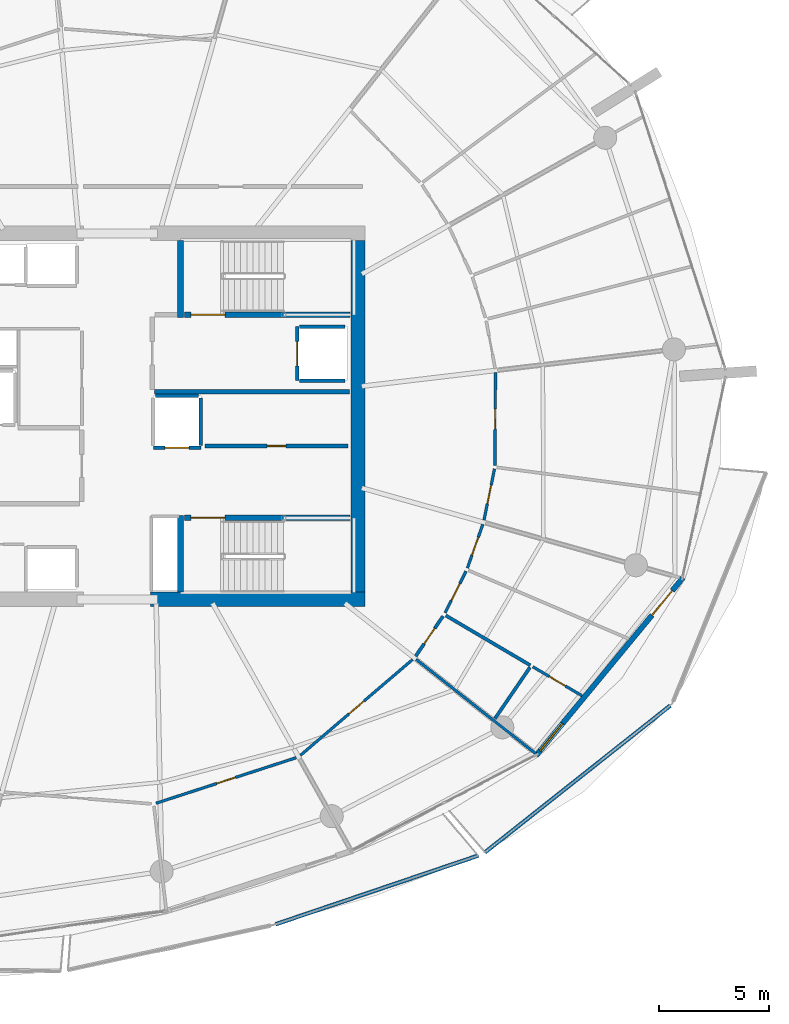
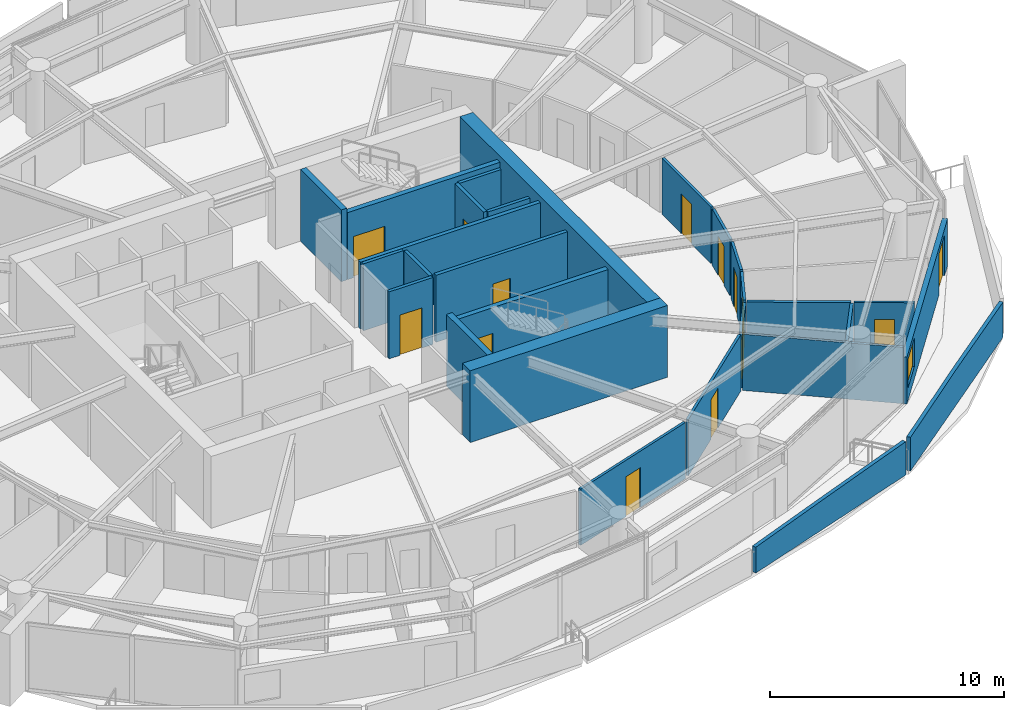
# One storey, part 13 of 20: 28 walls, 14 doors, 1 window, 15 openings.
"""IFC4 building model written with IfcOpenShell, lengths in metres."""

import ifcopenshell
import ifcopenshell.guid

model = None  # the IFC model being written
_history = None  # IfcOwnerHistory: only IFC2X3 demands one
_inside = {}  # id of a spatial element -> (the spatial element, [elements in it])
_under = {}  # id of a project, library or spatial element -> (it, [spatial elements below it])
_declared = {}  # id of a project -> (the project, [libraries it declares])
_typed = {}  # id of a type object -> (the type object, [elements of that type])
_made_of = {}  # id of a material, layer set ... -> (it, [elements and type objects made of it])


def new_model(schema):
    """Start an empty IFC model of exactly this schema.

    Asked for "IFC4X3", IfcOpenShell would pick the latest addendum, in which some entities
    have other attributes; the version numbers below select the first issue.
    IFC2X3 requires an IfcOwnerHistory on every rooted entity: one is made here for all.
    """
    global model, _history
    if schema == "IFC4X3":
        model = ifcopenshell.file(schema_version=(4, 3, 0, 0))
    else:
        model = ifcopenshell.file(schema=schema)
    _inside.clear()
    _under.clear()
    _declared.clear()
    _typed.clear()
    _made_of.clear()
    _history = None
    if model.schema == "IFC2X3":
        org = make("IfcOrganization", Name="unknown")
        user = make(
            "IfcPersonAndOrganization",
            ThePerson=make("IfcPerson", FamilyName="unknown"),
            TheOrganization=org,
        )
        app = make(
            "IfcApplication",
            ApplicationDeveloper=org,
            Version="unknown",
            ApplicationFullName="unknown",
            ApplicationIdentifier="unknown",
        )
        _history = make(
            "IfcOwnerHistory",
            OwningUser=user,
            OwningApplication=app,
            ChangeAction="ADDED",
            CreationDate=0,
        )
    return model


def make(cls, **values):
    """One entity of the class cls with the attributes given. An attribute that is None is left unset."""
    return model.create_entity(
        cls, **{name: value for name, value in values.items() if value is not None}
    )


def rooted(cls, **values):
    """An entity with a GlobalId (a new one), such as an element, a storey or a relation."""
    return make(cls, GlobalId=ifcopenshell.guid.new(), OwnerHistory=_history, **values)


def si_unit(unit_type, name, prefix=None):
    """IfcSIUnit, for example si_unit("LENGTHUNIT", "METRE", prefix="MILLI")."""
    return make("IfcSIUnit", UnitType=unit_type, Prefix=prefix, Name=name)


def assignment(units):
    """IfcUnitAssignment: the units of a project."""
    return None if units is None else make("IfcUnitAssignment", Units=units)


def point(xyz):
    """IfcCartesianPoint."""
    return None if xyz is None else make("IfcCartesianPoint", Coordinates=xyz)


def direction(xyz):
    """IfcDirection."""
    return None if xyz is None else make("IfcDirection", DirectionRatios=xyz)


def frame(location, z_axis=None, x_axis=None):
    """IfcAxis2Placement3D, a coordinate frame: its origin and axes. An axis left out is left unset."""
    return make(
        "IfcAxis2Placement3D",
        Location=point(location),
        Axis=direction(z_axis),
        RefDirection=direction(x_axis),
    )


def frame_2d(location, x_axis=None):
    """IfcAxis2Placement2D, a coordinate frame in the plane: its origin and x axis."""
    return make(
        "IfcAxis2Placement2D", Location=point(location), RefDirection=direction(x_axis)
    )


def origin():
    """The frame at (0, 0, 0) with its axes left unset."""
    return frame((0.0, 0.0, 0.0))


def place(relative_to, where):
    """IfcLocalPlacement: puts the frame where relative to a parent placement (None: the world)."""
    return make(
        "IfcLocalPlacement", PlacementRelTo=relative_to, RelativePlacement=where
    )


def context(
    kind, dimensions, precision=None, world=None, true_north=None, identifier=None
):
    """IfcGeometricRepresentationContext, for example the 3D "Model" context."""
    return make(
        "IfcGeometricRepresentationContext",
        ContextIdentifier=identifier,
        ContextType=kind,
        CoordinateSpaceDimension=dimensions,
        Precision=precision,
        WorldCoordinateSystem=world,
        TrueNorth=true_north,
    )


def subcontext(parent, identifier, kind, view, scale=None):
    """IfcGeometricRepresentationSubContext, for example "Body" below "Model"."""
    return make(
        "IfcGeometricRepresentationSubContext",
        ContextIdentifier=identifier,
        ContextType=kind,
        ParentContext=parent,
        TargetScale=scale,
        TargetView=view,
    )


def project(units=None, contexts=None):
    """IfcProject with its units and contexts."""
    return rooted(
        "IfcProject",
        Name="project",
        RepresentationContexts=contexts,
        UnitsInContext=assignment(units),
    )


def spatial(cls, under=None, at=None, **own):
    """A site, building, storey or space (cls), placed at a placement, below another one or the project."""
    s = rooted(cls, ObjectPlacement=at, **own)
    if under is not None:
        _under.setdefault(under.id(), (under, []))[1].append(s)
    return s


def polyline(points):
    """IfcPolyline through the points."""
    return make("IfcPolyline", Points=[point(p) for p in points])


def profile(cls, at=None, kind="AREA", **sizes):
    """A parametric profile (cls). Its sizes go by their IFC names, for example OverallWidth=200.0."""
    return make(cls, ProfileType=kind, Position=at, **sizes)


def rectangle(**sizes):
    """IfcRectangleProfileDef."""
    return profile("IfcRectangleProfileDef", **sizes)


def outline(outer, holes=None, kind="AREA"):
    """IfcArbitraryClosedProfileDef: a profile drawn as a closed curve; with holes, ...WithVoids."""
    if holes is None:
        return make("IfcArbitraryClosedProfileDef", ProfileType=kind, OuterCurve=outer)
    return make(
        "IfcArbitraryProfileDefWithVoids",
        ProfileType=kind,
        OuterCurve=outer,
        InnerCurves=holes,
    )


def extrude(swept, where, along, depth):
    """IfcExtrudedAreaSolid: the profile swept, set in the frame where, extruded along a direction by depth."""
    return make(
        "IfcExtrudedAreaSolid",
        SweptArea=swept,
        Position=where,
        ExtrudedDirection=direction(along),
        Depth=depth,
    )


def shape(context_of_items, identifier, shape_type, items):
    """IfcShapeRepresentation: the items that make up one representation, for example the "Body"."""
    return make(
        "IfcShapeRepresentation",
        ContextOfItems=context_of_items,
        RepresentationIdentifier=identifier,
        RepresentationType=shape_type,
        Items=items,
    )


def material(Name=None, Category=None):
    """IfcMaterial."""
    return make("IfcMaterial", Name=Name, Category=Category)


def layer(
    of_material, thickness, ventilated=None, Name=None, Category=None, Priority=None
):
    """IfcMaterialLayer: one layer of a wall or slab, of a material (None: an air gap)."""
    return make(
        "IfcMaterialLayer",
        Material=of_material,
        LayerThickness=thickness,
        IsVentilated=ventilated,
        Name=Name,
        Category=Category,
        Priority=Priority,
    )


def layer_set(layers, Name=None):
    """IfcMaterialLayerSet."""
    return make("IfcMaterialLayerSet", MaterialLayers=layers, LayerSetName=Name)


def made_of(thing, what):
    """Note that an element or type object is made of a material, layer set ...; save() writes the relation."""
    if what is not None:
        _made_of.setdefault(what.id(), (what, []))[1].append(thing)
    return thing


def type_object(cls, material=None, **own):
    """A type object (cls), such as IfcWallType, which elements share."""
    return made_of(rooted(cls, **own), material)


def element(
    cls,
    number,
    at=None,
    inside=None,
    cuts=None,
    type_object=None,
    material=None,
    context=None,
    identifier="Body",
    shape_type=None,
    held_by="IfcProductDefinitionShape",
    body=None,
    shapes=None,
    **own,
):
    """One element of the class cls, such as IfcWall. Its Tag is "e" and its number.

    at: its placement. inside: the storey or other place that contains it. cuts: it is an
    opening in that element (IfcRelVoidsElement). A single representation is given by context,
    identifier, shape_type and body (its items); several are given by shapes. held_by: the class
    of the entity that holds the representations. save() writes the other relations.
    """
    e = rooted(cls, Tag="e%d" % number, ObjectPlacement=at, **own)
    if body is not None:
        shapes = [shape(context, identifier, shape_type, body)]
    if shapes is not None:
        e.Representation = make(held_by, Representations=shapes)
    if inside is not None:
        _inside.setdefault(inside.id(), (inside, []))[1].append(e)
    if cuts is not None:
        rooted(
            "IfcRelVoidsElement", RelatingBuildingElement=cuts, RelatedOpeningElement=e
        )
    if type_object is not None:
        _typed.setdefault(type_object.id(), (type_object, []))[1].append(e)
    return made_of(e, material)


def fill(opening, filler):
    """IfcRelFillsElement: the door or window that sits in an opening."""
    return rooted(
        "IfcRelFillsElement",
        RelatingOpeningElement=opening,
        RelatedBuildingElement=filler,
    )


def aggregate(whole, parts):
    """IfcRelAggregates: a whole, such as a stair, and the parts it consists of."""
    return rooted("IfcRelAggregates", RelatingObject=whole, RelatedObjects=parts)


def save(model, path):
    """Write the relations noted so far, then the file.

    IfcRelAggregates (storeys below a building ...), IfcRelContainedInSpatialStructure (elements
    in a storey), IfcRelDefinesByType, IfcRelAssociatesMaterial and IfcRelDeclares: one each for
    every whole, place, type object, material and project.
    """
    for whole, parts in _under.values():
        aggregate(whole, parts)
    for where, things in _inside.values():
        rooted(
            "IfcRelContainedInSpatialStructure",
            RelatedElements=things,
            RelatingStructure=where,
        )
    for kind, things in _typed.values():
        rooted("IfcRelDefinesByType", RelatedObjects=things, RelatingType=kind)
    for what, things in _made_of.values():
        rooted("IfcRelAssociatesMaterial", RelatedObjects=things, RelatingMaterial=what)
    for by, libraries in _declared.values():
        rooted("IfcRelDeclares", RelatingContext=by, RelatedDefinitions=libraries)
    model.write(path)


model = new_model("IFC4")

# Units and contexts
model_context = context("Model", 3, precision=1e-05, world=origin(), true_north=direction((0.0, 1.0)))
body_context = subcontext(model_context, "Body", "Model", "MODEL_VIEW")
ifc_project = project(units=[si_unit("LENGTHUNIT", "METRE"), si_unit("AREAUNIT", "SQUARE_METRE"), si_unit("VOLUMEUNIT", "CUBIC_METRE"), si_unit("PLANEANGLEUNIT", "RADIAN"), si_unit("MASSUNIT", "GRAM", prefix="KILO")], contexts=[model_context])

# Site, building, storey
site_placement = place(None, origin())
site = spatial("IfcSite", under=ifc_project, at=site_placement, CompositionType="ELEMENT")
building_placement = place(site_placement, origin())
building = spatial("IfcBuilding", under=site, at=building_placement, Name="Kazma Halo Residences", CompositionType="ELEMENT")
storey_placement = place(building_placement, frame((0.0, 0.0, 217.800048828125)))
storey = spatial("IfcBuildingStorey", under=building, at=storey_placement, Name="L55", CompositionType="ELEMENT", Elevation=217.800048828125)

# Walls
ifc_material_1 = material(Name="White Concrete C50/60 Balustrade", Category="concrete")
ifc_layer_1 = layer(ifc_material_1, 0.179931640625)
ifc_layer_set_1 = layer_set([ifc_layer_1], Name="White Concrete C50/60 Balustrade")
wall_type_1 = type_object("IfcWallType", Name="WL-BAL-WAVE-180", PredefinedType="PARAPET", material=ifc_layer_set_1)
wall_1_placement = place(storey_placement, frame((55.6337890625, 18.893798828125, 0.0), z_axis=(0.0, 0.0, 1.0), x_axis=(0.947048433124, 0.32109074312, 0.0)))
element("IfcWall", 1, at=wall_1_placement, inside=storey, type_object=wall_type_1, Name="L55 white wave balustrade wall SSE.2", PredefinedType="PARAPET", context=body_context, shape_type="SweptSolid", body=[
    extrude(outline(polyline([(0.0, 0.0), (9.736328125, 0.0), (9.736328125, 1.7470703125), (4.8681640625, 1.56201171875), (0.0, 1.347900390625), (0.0, 0.0)])), frame((0.0, 0.08984375, 0.0), z_axis=(0.0, -1.0, 0.0), x_axis=(1.0, 0.0, 0.0)), (0.0, 0.0, 1.0), 0.179931640625),
])
wall_2_placement = place(storey_placement, frame((65.153076171875, 22.1630859375, 0.0), z_axis=(0.0, 0.0, 1.0), x_axis=(0.783919701346, 0.620862224524, 0.0)))
element("IfcWall", 2, at=wall_2_placement, inside=storey, type_object=wall_type_1, Name="L55 white wave balustrade wall SE.1", PredefinedType="PARAPET", context=body_context, shape_type="SweptSolid", body=[
    extrude(outline(polyline([(0.0, 0.0), (10.75634765625, 0.0), (10.75634765625, 1.83203125), (5.378173828125, 1.85302734375), (0.0, 1.755859375), (0.0, 0.0)])), frame((0.0, 0.08984375, 0.0), z_axis=(0.0, -1.0, 0.0), x_axis=(1.0, 0.0, 0.0)), (0.0, 0.0, 1.0), 0.179931640625),
])
ifc_material_2 = material(Name="Concrete C60/75", Category="concrete")
ifc_layer_2 = layer(ifc_material_2, 0.64990234375)
ifc_layer_set_2 = layer_set([ifc_layer_2], Name="Concrete C60/75")
wall_type_2 = type_object("IfcWallType", Name="WL-CORE-650", PredefinedType="SHEAR", material=ifc_layer_set_2)
wall_3_placement = place(storey_placement, frame((49.949951171875, 33.675048828125, 0.0), z_axis=(0.0, 0.0, 1.0), x_axis=(1.0, 0.0, 0.0)))
element("IfcWall", 3, at=wall_3_placement, inside=storey, type_object=wall_type_2, Name="L55 central core shear wall SE", PredefinedType="SHEAR", context=body_context, shape_type="SweptSolid", body=[
    extrude(rectangle(XDim=9.75, YDim=0.64990234375, at=frame_2d((4.875, 0.0))), origin(), (0.0, 0.0, 1.0), 3.75),
])
wall_4_placement = place(storey_placement, frame((59.375, 34.0, 0.0), z_axis=(0.0, 0.0, 1.0), x_axis=(0.0, 1.0, 0.0)))
element("IfcWall", 4, at=wall_4_placement, inside=storey, type_object=wall_type_2, Name="L55 central core shear wall E", PredefinedType="SHEAR", context=body_context, shape_type="SweptSolid", body=[
    extrude(rectangle(XDim=16.0, YDim=0.64990234375, at=frame_2d((8.0, 0.0))), origin(), (0.0, 0.0, 1.0), 3.75),
])
ifc_layer_3 = layer(ifc_material_2, 0.280029296875)
ifc_layer_set_3 = layer_set([ifc_layer_3], Name="Concrete C60/75")
wall_type_3 = type_object("IfcWallType", Name="WL-CORE-ST-280", PredefinedType="SHEAR", material=ifc_layer_set_3)
for number, where, z_axis, x_axis, name in (
    (5, (51.31005859375, 46.5, 0.0), (0.0, 0.0, 1.0), (0.0, 1.0, 0.0), "L55 stairwell bearing wall ST02-W"),
    (6, (51.31005859375, 34.0, 0.0), (0.0, 0.0, 1.0), (0.0, 1.0, 0.0), "L55 stairwell bearing wall ST03-W"),
):
    element("IfcWall", number, at=place(storey_placement, frame(where, z_axis=z_axis, x_axis=x_axis)), inside=storey, type_object=wall_type_3, Name=name, PredefinedType="SHEAR", context=body_context, shape_type="SweptSolid", body=[
        extrude(rectangle(XDim=3.5, YDim=0.280029296875, at=frame_2d((1.75, 0.0))), origin(), (0.0, 0.0, 1.0), 3.75),
    ])

# Wall, openings, door, window
ifc_material_3 = material(Name="Insulated Pale-Metal Composite Wall")
ifc_layer_4 = layer(ifc_material_3, 0.239990234375)
ifc_layer_set_4 = layer_set([ifc_layer_4], Name="Insulated Pale-Metal Composite Wall")
wall_type_4 = type_object("IfcWallType", Name="WL-EXT-HOST-240", PredefinedType="SOLIDWALL", material=ifc_layer_set_4)
wall_5_placement = place(storey_placement, frame((67.485107421875, 26.57568359375, 0.0), z_axis=(0.0, 0.0, 1.0), x_axis=(0.636759394418, 0.771062561418, 0.0)))
wall_5 = element("IfcWall", 7, at=wall_5_placement, inside=storey, type_object=wall_type_4, Name="L55 exterior terrace-access wall B14", PredefinedType="SOLIDWALL", context=body_context, shape_type="SweptSolid", body=[
    extrude(rectangle(XDim=10.494384765625, YDim=0.239990234375, at=frame_2d((5.2470703125, 0.0))), origin(), (0.0, 0.0, 1.0), 2.449951171875),
])
opening_1_placement = place(wall_5_placement, frame((8.2744140625, 0.0, 0.0)))
opening_1 = element("IfcOpeningElement", 8, at=opening_1_placement, cuts=wall_5, Name="Opening DTR-1600", PredefinedType="OPENING", context=body_context, shape_type="SweptSolid", body=[
    extrude(rectangle(XDim=1.449951171875, YDim=2.14990234375, at=frame_2d((0.72509765625, 1.074951171875))), frame((0.0, 0.1298828125, 0.0), z_axis=(0.0, -1.0, 0.0), x_axis=(1.0, 0.0, 0.0)), (0.0, 0.0, 1.0), 0.260009765625),
])
opening_2_placement = place(wall_5_placement, frame((0.280029296875, 0.0, 0.64990234375)))
opening_2 = element("IfcOpeningElement", 9, at=opening_2_placement, cuts=wall_5, Name="Opening W-1800", PredefinedType="OPENING", context=body_context, shape_type="SweptSolid", body=[
    extrude(rectangle(XDim=1.60009765625, YDim=1.5, at=frame_2d((0.800048828125, 0.75))), frame((0.0, 0.1298828125, 0.0), z_axis=(0.0, -1.0, 0.0), x_axis=(1.0, 0.0, 0.0)), (0.0, 0.0, 1.0), 0.260009765625),
])
ifc_material_4 = material(Name="Aluminium AW-6063 T6 Double-Glazed Terrace Door", Category="aluminium")
door_type_1 = type_object("IfcDoorType", Name="DR-EXT-TERR-1600", OperationType="NOTDEFINED", PredefinedType="DOOR", material=ifc_material_4)
door_1_placement = place(opening_1_placement, origin())
door_1 = element("IfcDoor", 10, at=door_1_placement, inside=storey, type_object=door_type_1, Name="L55 B14 balcony terrace door", OperationType="DOUBLE_DOOR_SLIDING", OverallHeight=2.14990234375, OverallWidth=1.449951171875, PredefinedType="DOOR", context=body_context, shape_type="SweptSolid", body=[
    extrude(rectangle(XDim=1.449951171875, YDim=2.14990234375, at=frame_2d((0.72509765625, 1.074951171875))), frame((0.0, 0.02490234375, 0.0), z_axis=(0.0, -1.0, 0.0), x_axis=(1.0, 0.0, 0.0)), (0.0, 0.0, 1.0), 0.050048828125),
])
fill(opening_1, door_1)
ifc_material_5 = material(Name="Clear Triple-Silver Low-E Glass in Aluminium AW-6063 T6 Frame", Category="aluminium")
window_type = type_object("IfcWindowType", Name="WIN-RES-1800", PartitioningType="DOUBLE_PANEL_VERTICAL", PredefinedType="WINDOW", material=ifc_material_5)
window_placement = place(opening_2_placement, origin())
window = element("IfcWindow", 11, at=window_placement, inside=storey, type_object=window_type, Name="L55 B14 apartment window", OverallHeight=1.5, OverallWidth=1.60009765625, PartitioningType="SINGLE_PANEL", PredefinedType="WINDOW", context=body_context, shape_type="SweptSolid", body=[
    extrude(rectangle(XDim=1.60009765625, YDim=1.5, at=frame_2d((0.800048828125, 0.75))), frame((0.0, 0.030029296875, 0.0), z_axis=(0.0, -1.0, 0.0), x_axis=(1.0, 0.0, 0.0)), (0.0, 0.0, 1.0), 0.06005859375),
])
fill(opening_2, window)

# Wall, opening, door
ifc_material_6 = material(Name="Fire-Rated Blockwork Masonry", Category="masonry")
ifc_layer_5 = layer(ifc_material_6, 0.199951171875)
ifc_layer_set_5 = layer_set([ifc_layer_5], Name="Fire-Rated Blockwork Masonry")
wall_type_5 = type_object("IfcWallType", Name="WL-FLB-200", PredefinedType="PARTITIONING", material=ifc_layer_set_5)
wall_6_placement = place(storey_placement, frame((56.6201171875, 46.080078125, 0.0), z_axis=(0.0, 0.0, 1.0), x_axis=(0.0, -1.0, 0.0)))
wall_6 = element("IfcWall", 12, at=wall_6_placement, inside=storey, type_object=wall_type_5, Name="L55 lift shaft FL-02 front wall", PredefinedType="PARTITIONING", context=body_context, shape_type="SweptSolid", body=[
    extrude(rectangle(XDim=2.4599609375, YDim=0.159912109375, at=frame_2d((1.22998046875, 0.0))), origin(), (0.0, 0.0, 1.0), 3.5),
])
opening_3_placement = place(wall_6_placement, frame((0.679931640625, 0.0, 0.0)))
opening_3 = element("IfcOpeningElement", 13, at=opening_3_placement, cuts=wall_6, Name="Opening LD-FL-02", PredefinedType="OPENING", context=body_context, shape_type="SweptSolid", body=[
    extrude(rectangle(XDim=1.10009765625, YDim=2.10009765625, at=frame_2d((0.550048828125, 1.050048828125))), frame((0.0, 0.08984375, 0.0), z_axis=(0.0, -1.0, 0.0), x_axis=(1.0, 0.0, 0.0)), (0.0, 0.0, 1.0), 0.179931640625),
])
ifc_material_7 = material(Name="Stainless Steel Fire-Rated", Category="steel")
door_type_2 = type_object("IfcDoorType", Name="DR-LIFT-SLD-1100", OperationType="DOUBLE_DOOR_SLIDING", PredefinedType="DOOR", material=ifc_material_7)
door_2_placement = place(opening_3_placement, origin())
door_2 = element("IfcDoor", 14, at=door_2_placement, inside=storey, type_object=door_type_2, Name="L55 lift FL-02 sliding landing door", OperationType="DOUBLE_DOOR_SLIDING", OverallHeight=2.10009765625, OverallWidth=1.10009765625, PredefinedType="DOOR", context=body_context, shape_type="SweptSolid", body=[
    extrude(rectangle(XDim=1.10009765625, YDim=2.10009765625, at=frame_2d((0.550048828125, 1.050048828125))), frame((0.0, 0.02490234375, 0.0), z_axis=(0.0, -1.0, 0.0), x_axis=(1.0, 0.0, 0.0)), (0.0, 0.0, 1.0), 0.050048828125),
])
fill(opening_3, door_2)

# Walls
for number, where, z_axis, x_axis, name in (
    (15, (56.719970703125, 46.080078125, 0.0), (0.0, 0.0, 1.0), (1.0, 0.0, 0.0), "L55 lift shaft FL-02 side wall N"),
    (16, (56.719970703125, 43.6201171875, 0.0), (0.0, 0.0, 1.0), (1.0, 0.0, 0.0), "L55 lift shaft FL-02 side wall S"),
):
    element("IfcWall", number, at=place(storey_placement, frame(where, z_axis=z_axis, x_axis=x_axis)), inside=storey, type_object=wall_type_5, Name=name, PredefinedType="PARTITIONING", context=body_context, shape_type="SweptSolid", body=[
        extrude(rectangle(XDim=2.06005859375, YDim=0.159912109375, at=frame_2d((1.030029296875, 0.0))), origin(), (0.0, 0.0, 1.0), 3.5),
    ])

# Wall, opening, door
wall_7_placement = place(storey_placement, frame((52.22998046875, 40.570068359375, 0.0), z_axis=(0.0, 0.0, 1.0), x_axis=(-1.0, 0.0, 0.0)))
wall_7 = element("IfcWall", 17, at=wall_7_placement, inside=storey, type_object=wall_type_5, Name="L55 lift shaft SV-01 front wall", PredefinedType="PARTITIONING", context=body_context, shape_type="SweptSolid", body=[
    extrude(rectangle(XDim=2.159912109375, YDim=0.159912109375, at=frame_2d((1.080078125, 0.0))), origin(), (0.0, 0.0, 1.0), 3.5),
])
opening_4_placement = place(wall_7_placement, frame((0.530029296875, 0.0, 0.0)))
opening_4 = element("IfcOpeningElement", 18, at=opening_4_placement, cuts=wall_7, Name="Opening LD-SV-01", PredefinedType="OPENING", context=body_context, shape_type="SweptSolid", body=[
    extrude(rectangle(XDim=1.10009765625, YDim=2.10009765625, at=frame_2d((0.550048828125, 1.050048828125))), frame((0.0, 0.08984375, 0.0), z_axis=(0.0, -1.0, 0.0), x_axis=(1.0, 0.0, 0.0)), (0.0, 0.0, 1.0), 0.179931640625),
])
door_3_placement = place(opening_4_placement, origin())
door_3 = element("IfcDoor", 19, at=door_3_placement, inside=storey, type_object=door_type_2, Name="L55 lift SV-01 sliding landing door", OperationType="DOUBLE_DOOR_SLIDING", OverallHeight=2.10009765625, OverallWidth=1.10009765625, PredefinedType="DOOR", context=body_context, shape_type="SweptSolid", body=[
    extrude(rectangle(XDim=1.10009765625, YDim=2.10009765625, at=frame_2d((0.550048828125, 1.050048828125))), frame((0.0, 0.02490234375, 0.0), z_axis=(0.0, -1.0, 0.0), x_axis=(1.0, 0.0, 0.0)), (0.0, 0.0, 1.0), 0.050048828125),
])
fill(opening_4, door_3)

# Walls
wall_8_placement = place(storey_placement, frame((52.22998046875, 40.669921875, 0.0), z_axis=(0.0, 0.0, 1.0), x_axis=(0.0, 1.0, 0.0)))
element("IfcWall", 20, at=wall_8_placement, inside=storey, type_object=wall_type_5, Name="L55 lift shaft SV-01 side wall E", PredefinedType="PARTITIONING", context=body_context, shape_type="SweptSolid", body=[
    extrude(rectangle(XDim=2.16015625, YDim=0.159912109375, at=frame_2d((1.080078125, 0.0))), origin(), (0.0, 0.0, 1.0), 3.5),
])
wall_9_placement = place(storey_placement, frame((50.169921875, 42.929931640625, 0.0), z_axis=(0.0, 0.0, 1.0), x_axis=(1.0, 0.0, 0.0)))
element("IfcWall", 21, at=wall_9_placement, inside=storey, type_object=wall_type_5, Name="L55 lift shaft SV-01 side wall N", PredefinedType="PARTITIONING", context=body_context, shape_type="SweptSolid", body=[
    extrude(rectangle(XDim=1.9599609375, YDim=0.159912109375, at=frame_2d((0.97998046875, 0.0))), origin(), (0.0, 0.0, 1.0), 3.5),
])

# Wall, opening, door
wall_10_placement = place(storey_placement, frame((52.419921875, 40.64990234375, 0.0), z_axis=(0.0, 0.0, 1.0), x_axis=(1.0, 0.0, 0.0)))
wall_10 = element("IfcWall", 22, at=wall_10_placement, inside=storey, type_object=wall_type_5, Name="L55 core east reserve wall", PredefinedType="PARTITIONING", context=body_context, shape_type="SweptSolid", body=[
    extrude(rectangle(XDim=6.5, YDim=0.179931640625, at=frame_2d((3.25, 0.0))), origin(), (0.0, 0.0, 1.0), 3.5),
])
opening_5_placement = place(wall_10_placement, frame((2.824951171875, 0.0, 0.0)))
opening_5 = element("IfcOpeningElement", 23, at=opening_5_placement, cuts=wall_10, Name="Opening DS-850", PredefinedType="OPENING", context=body_context, shape_type="SweptSolid", body=[
    extrude(rectangle(XDim=0.85009765625, YDim=2.06005859375, at=frame_2d((0.425048828125, 1.030029296875))), frame((0.0, 0.099853515625, 0.0), z_axis=(0.0, -1.0, 0.0), x_axis=(1.0, 0.0, 0.0)), (0.0, 0.0, 1.0), 0.199951171875),
])
ifc_material_8 = material(Name="Painted Steel Access Leaf", Category="steel")
door_type_3 = type_object("IfcDoorType", Name="DR-SVC-850", OperationType="NOTDEFINED", PredefinedType="DOOR", material=ifc_material_8)
door_4_placement = place(opening_5_placement, origin())
door_4 = element("IfcDoor", 24, at=door_4_placement, inside=storey, type_object=door_type_3, Name="L55 core east reserve door", OperationType="SINGLE_SWING_RIGHT", OverallHeight=2.06005859375, OverallWidth=0.85009765625, PredefinedType="DOOR", context=body_context, shape_type="SweptSolid", body=[
    extrude(rectangle(XDim=0.85009765625, YDim=2.06005859375, at=frame_2d((0.425048828125, 1.030029296875))), frame((0.0, 0.02490234375, 0.0), z_axis=(0.0, -1.0, 0.0), x_axis=(1.0, 0.0, 0.0)), (0.0, 0.0, 1.0), 0.050048828125),
])
fill(opening_5, door_4)

# Wall
wall_11_placement = place(storey_placement, frame((50.1201171875, 43.1201171875, 0.0), z_axis=(0.0, 0.0, 1.0), x_axis=(1.0, 0.0, 0.0)))
element("IfcWall", 25, at=wall_11_placement, inside=storey, type_object=wall_type_5, Name="L55 east firefighting lobby south smoke wall", PredefinedType="PARTITIONING", context=body_context, shape_type="SweptSolid", body=[
    extrude(rectangle(XDim=8.8798828125, YDim=0.199951171875, at=frame_2d((4.43994140625, 0.0))), origin(), (0.0, 0.0, 1.0), 3.5),
])

# Wall, opening, door
ifc_material_9 = material(Name="Gypsum Plasterboard Partition")
ifc_layer_6 = layer(ifc_material_9, 0.125)
ifc_layer_set_6 = layer_set([ifc_layer_6], Name="Gypsum Plasterboard Partition")
wall_type_6 = type_object("IfcWallType", Name="WL-PART-125", PredefinedType="PARTITIONING", material=ifc_layer_set_6)
wall_12_placement = place(storey_placement, frame((50.191650390625, 24.400146484375, 0.0), z_axis=(0.0, 0.0, 1.0), x_axis=(0.951057868445, 0.309012832854, 0.0)))
wall_12 = element("IfcWall", 26, at=wall_12_placement, inside=storey, type_object=wall_type_6, Name="L55 Apartment 2 West Master Bedroom gallery wall", PredefinedType="PARTITIONING", context=body_context, shape_type="SweptSolid", body=[
    extrude(rectangle(XDim=6.70849609375, YDim=0.125, at=frame_2d((3.354248046875, 0.0))), origin(), (0.0, 0.0, 1.0), 2.93994140625),
])
opening_6_placement = place(wall_12_placement, frame((2.904296875, 0.0, 0.0)))
opening_6 = element("IfcOpeningElement", 27, at=opening_6_placement, cuts=wall_12, Name="Opening DI-950", PredefinedType="OPENING", context=body_context, shape_type="SweptSolid", body=[
    extrude(rectangle(XDim=0.89990234375, YDim=2.080078125, at=frame_2d((0.449951171875, 1.0400390625))), frame((0.0, 0.072509765625, 0.0), z_axis=(0.0, -1.0, 0.0), x_axis=(1.0, 0.0, 0.0)), (0.0, 0.0, 1.0), 0.14501953125),
])
ifc_material_10 = material(Name="Timber Veneer Flush Leaf", Category="wood")
door_type_4 = type_object("IfcDoorType", Name="DR-INT-950", OperationType="NOTDEFINED", PredefinedType="DOOR", material=ifc_material_10)
door_5_placement = place(opening_6_placement, origin())
door_5 = element("IfcDoor", 28, at=door_5_placement, inside=storey, type_object=door_type_4, Name="L55 Apartment 2 West Master Bedroom door", OperationType="SINGLE_SWING_LEFT", OverallHeight=2.080078125, OverallWidth=0.89990234375, PredefinedType="DOOR", context=body_context, shape_type="SweptSolid", body=[
    extrude(rectangle(XDim=0.89990234375, YDim=2.080078125, at=frame_2d((0.449951171875, 1.0400390625))), frame((0.0, 0.02490234375, 0.0), z_axis=(0.0, -1.0, 0.0), x_axis=(1.0, 0.0, 0.0)), (0.0, 0.0, 1.0), 0.050048828125),
])
fill(opening_6, door_5)

wall_13_placement = place(storey_placement, frame((56.760009765625, 26.57861328125, 0.0), z_axis=(0.0, 0.0, 1.0), x_axis=(0.760424223761, 0.649426670161, 0.0)))
wall_13 = element("IfcWall", 29, at=wall_13_placement, inside=storey, type_object=wall_type_6, Name="L55 Apartment 2 North Formal Dining Room gallery wall", PredefinedType="PARTITIONING", context=body_context, shape_type="SweptSolid", body=[
    extrude(rectangle(XDim=6.70849609375, YDim=0.125, at=frame_2d((3.354248046875, 0.0))), origin(), (0.0, 0.0, 1.0), 2.93994140625),
])
opening_7_placement = place(wall_13_placement, frame((2.904296875, 0.0, 0.0)))
opening_7 = element("IfcOpeningElement", 30, at=opening_7_placement, cuts=wall_13, Name="Opening DI-950", PredefinedType="OPENING", context=body_context, shape_type="SweptSolid", body=[
    extrude(rectangle(XDim=0.89990234375, YDim=2.080078125, at=frame_2d((0.449951171875, 1.0400390625))), frame((0.0, 0.072509765625, 0.0), z_axis=(0.0, -1.0, 0.0), x_axis=(1.0, 0.0, 0.0)), (0.0, 0.0, 1.0), 0.14501953125),
])
door_6_placement = place(opening_7_placement, origin())
door_6 = element("IfcDoor", 31, at=door_6_placement, inside=storey, type_object=door_type_4, Name="L55 Apartment 2 North Formal Dining Room door", OperationType="SINGLE_SWING_RIGHT", OverallHeight=2.080078125, OverallWidth=0.89990234375, PredefinedType="DOOR", context=body_context, shape_type="SweptSolid", body=[
    extrude(rectangle(XDim=0.89990234375, YDim=2.080078125, at=frame_2d((0.449951171875, 1.0400390625))), frame((0.0, 0.02490234375, 0.0), z_axis=(0.0, -1.0, 0.0), x_axis=(1.0, 0.0, 0.0)), (0.0, 0.0, 1.0), 0.050048828125),
])
fill(opening_7, door_6)

# Wall
wall_14_placement = place(storey_placement, frame((62.0234375, 30.94482421875, 0.0), z_axis=(0.0, 0.0, 1.0), x_axis=(0.785321889756, -0.619087658955, 0.0)))
element("IfcWall", 32, at=wall_14_placement, inside=storey, type_object=wall_type_6, Name="L55 Apartment 2 radial partition 13", PredefinedType="PARTITIONING", context=body_context, shape_type="SweptSolid", body=[
    extrude(rectangle(XDim=6.97021484375, YDim=0.125, at=frame_2d((3.485107421875, 0.0))), origin(), (0.0, 0.0, 1.0), 2.93994140625),
])

# Wall, opening, door
wall_15_placement = place(storey_placement, frame((67.330322265625, 30.60888671875, 0.0), z_axis=(0.0, 0.0, 1.0), x_axis=(0.861581059631, -0.507620013085, 0.0)))
wall_15 = element("IfcWall", 33, at=wall_15_placement, inside=storey, type_object=wall_type_6, Name="L55 Apartment 2 Inner Walk-In Wardrobe partition wall", PredefinedType="PARTITIONING", context=body_context, shape_type="SweptSolid", body=[
    extrude(rectangle(XDim=2.59619140625, YDim=0.125, at=frame_2d((1.298095703125, 0.0))), origin(), (0.0, 0.0, 1.0), 2.93994140625),
])
opening_8_placement = place(wall_15_placement, frame((0.873291015625, 0.0, 0.0)))
opening_8 = element("IfcOpeningElement", 34, at=opening_8_placement, cuts=wall_15, Name="Opening DB-900", PredefinedType="OPENING", context=body_context, shape_type="SweptSolid", body=[
    extrude(rectangle(XDim=0.85009765625, YDim=2.06005859375, at=frame_2d((0.425048828125, 1.030029296875))), frame((0.0, 0.072509765625, 0.0), z_axis=(0.0, -1.0, 0.0), x_axis=(1.0, 0.0, 0.0)), (0.0, 0.0, 1.0), 0.14501953125),
])
ifc_material_11 = material(Name="Moisture-Sealed Timber Leaf", Category="wood")
door_type_5 = type_object("IfcDoorType", Name="DR-BTH-900", OperationType="NOTDEFINED", PredefinedType="DOOR", material=ifc_material_11)
door_7_placement = place(opening_8_placement, origin())
door_7 = element("IfcDoor", 35, at=door_7_placement, inside=storey, type_object=door_type_5, Name="L55 Apartment 2 Inner Walk-In Wardrobe door", OperationType="SINGLE_SWING_RIGHT", OverallHeight=2.06005859375, OverallWidth=0.85009765625, PredefinedType="DOOR", context=body_context, shape_type="SweptSolid", body=[
    extrude(rectangle(XDim=0.85009765625, YDim=2.06005859375, at=frame_2d((0.425048828125, 1.030029296875))), frame((0.0, 0.02490234375, 0.0), z_axis=(0.0, -1.0, 0.0), x_axis=(1.0, 0.0, 0.0)), (0.0, 0.0, 1.0), 0.050048828125),
])
fill(opening_8, door_7)

wall_16_placement = place(storey_placement, frame((63.339111328125, 33.065185546875, 0.0), z_axis=(0.0, 0.0, 1.0), x_axis=(0.451086731402, 0.892480117847, 0.0)))
wall_16 = element("IfcWall", 36, at=wall_16_placement, inside=storey, type_object=wall_type_6, Name="L55 Apartment 2 Outer Private Study hall wall", PredefinedType="PARTITIONING", context=body_context, shape_type="SweptSolid", body=[
    extrude(rectangle(XDim=2.11572265625, YDim=0.125, at=frame_2d((1.057861328125, 0.0))), origin(), (0.0, 0.0, 1.0), 2.93994140625),
])
opening_9_placement = place(wall_16_placement, frame((0.6328125, 0.0, 0.0)))
opening_9 = element("IfcOpeningElement", 37, at=opening_9_placement, cuts=wall_16, Name="Opening DB-900", PredefinedType="OPENING", context=body_context, shape_type="SweptSolid", body=[
    extrude(rectangle(XDim=0.85009765625, YDim=2.06005859375, at=frame_2d((0.425048828125, 1.030029296875))), frame((0.0, 0.072509765625, 0.0), z_axis=(0.0, -1.0, 0.0), x_axis=(1.0, 0.0, 0.0)), (0.0, 0.0, 1.0), 0.14501953125),
])
door_8_placement = place(opening_9_placement, origin())
door_8 = element("IfcDoor", 38, at=door_8_placement, inside=storey, type_object=door_type_5, Name="L55 Apartment 2 Outer Private Study door", OperationType="SINGLE_SWING_LEFT", OverallHeight=2.06005859375, OverallWidth=0.85009765625, PredefinedType="DOOR", context=body_context, shape_type="SweptSolid", body=[
    extrude(rectangle(XDim=0.85009765625, YDim=2.06005859375, at=frame_2d((0.425048828125, 1.030029296875))), frame((0.0, 0.02490234375, 0.0), z_axis=(0.0, -1.0, 0.0), x_axis=(1.0, 0.0, 0.0)), (0.0, 0.0, 1.0), 0.050048828125),
])
fill(opening_9, door_8)

wall_17_placement = place(storey_placement, frame((64.356201171875, 35.10009765625, 0.0), z_axis=(0.0, 0.0, 1.0), x_axis=(0.332771597394, 0.943007457005, 0.0)))
wall_17 = element("IfcWall", 39, at=wall_17_placement, inside=storey, type_object=wall_type_6, Name="L55 Apartment 2 Corner Master Bedroom hall wall", PredefinedType="PARTITIONING", context=body_context, shape_type="SweptSolid", body=[
    extrude(rectangle(XDim=2.105712890625, YDim=0.125, at=frame_2d((1.052734375, 0.0))), origin(), (0.0, 0.0, 1.0), 2.93994140625),
])
opening_10_placement = place(wall_17_placement, frame((0.627685546875, 0.0, 0.0)))
opening_10 = element("IfcOpeningElement", 40, at=opening_10_placement, cuts=wall_17, Name="Opening DB-900", PredefinedType="OPENING", context=body_context, shape_type="SweptSolid", body=[
    extrude(rectangle(XDim=0.85009765625, YDim=2.06005859375, at=frame_2d((0.425048828125, 1.030029296875))), frame((0.0, 0.072509765625, 0.0), z_axis=(0.0, -1.0, 0.0), x_axis=(1.0, 0.0, 0.0)), (0.0, 0.0, 1.0), 0.14501953125),
])
door_9_placement = place(opening_10_placement, origin())
door_9 = element("IfcDoor", 41, at=door_9_placement, inside=storey, type_object=door_type_5, Name="L55 Apartment 2 Corner Master Bedroom door", OperationType="SINGLE_SWING_RIGHT", OverallHeight=2.06005859375, OverallWidth=0.85009765625, PredefinedType="DOOR", context=body_context, shape_type="SweptSolid", body=[
    extrude(rectangle(XDim=0.85009765625, YDim=2.06005859375, at=frame_2d((0.425048828125, 1.030029296875))), frame((0.0, 0.02490234375, 0.0), z_axis=(0.0, -1.0, 0.0), x_axis=(1.0, 0.0, 0.0)), (0.0, 0.0, 1.0), 0.050048828125),
])
fill(opening_10, door_9)

wall_18_placement = place(storey_placement, frame((65.1103515625, 37.278076171875, 0.0), z_axis=(0.0, 0.0, 1.0), x_axis=(0.201254105791, 0.979539067573, 0.0)))
wall_18 = element("IfcWall", 42, at=wall_18_placement, inside=storey, type_object=wall_type_6, Name="L55 Apartment 2 Garden Wine Pantry Store hall wall", PredefinedType="PARTITIONING", context=body_context, shape_type="SweptSolid", body=[
    extrude(rectangle(XDim=2.3837890625, YDim=0.125, at=frame_2d((1.19189453125, 0.0))), origin(), (0.0, 0.0, 1.0), 2.93994140625),
])
opening_11_placement = place(wall_18_placement, frame((0.766845703125, 0.0, 0.0)))
opening_11 = element("IfcOpeningElement", 43, at=opening_11_placement, cuts=wall_18, Name="Opening DB-900", PredefinedType="OPENING", context=body_context, shape_type="SweptSolid", body=[
    extrude(rectangle(XDim=0.85009765625, YDim=2.06005859375, at=frame_2d((0.425048828125, 1.030029296875))), frame((0.0, 0.072509765625, 0.0), z_axis=(0.0, -1.0, 0.0), x_axis=(1.0, 0.0, 0.0)), (0.0, 0.0, 1.0), 0.14501953125),
])
door_10_placement = place(opening_11_placement, origin())
door_10 = element("IfcDoor", 44, at=door_10_placement, inside=storey, type_object=door_type_5, Name="L55 Apartment 2 Garden Wine Pantry Store door", OperationType="SINGLE_SWING_RIGHT", OverallHeight=2.06005859375, OverallWidth=0.85009765625, PredefinedType="DOOR", context=body_context, shape_type="SweptSolid", body=[
    extrude(rectangle(XDim=0.85009765625, YDim=2.06005859375, at=frame_2d((0.425048828125, 1.030029296875))), frame((0.0, 0.02490234375, 0.0), z_axis=(0.0, -1.0, 0.0), x_axis=(1.0, 0.0, 0.0)), (0.0, 0.0, 1.0), 0.050048828125),
])
fill(opening_11, door_10)

wall_19_placement = place(storey_placement, frame((65.606689453125, 39.771484375, 0.0), z_axis=(0.0, 0.0, 1.0), x_axis=(0.006312493675, 0.999980076013, 0.0)))
wall_19 = element("IfcWall", 45, at=wall_19_placement, inside=storey, type_object=wall_type_6, Name="L55 Apartment 2 Sky Formal Dining Room hall wall", PredefinedType="PARTITIONING", context=body_context, shape_type="SweptSolid", body=[
    extrude(rectangle(XDim=4.215576171875, YDim=0.125, at=frame_2d((2.10791015625, 0.0))), origin(), (0.0, 0.0, 1.0), 2.93994140625),
])
opening_12_placement = place(wall_19_placement, frame((1.65771484375, 0.0, 0.0)))
opening_12 = element("IfcOpeningElement", 46, at=opening_12_placement, cuts=wall_19, Name="Opening DI-950", PredefinedType="OPENING", context=body_context, shape_type="SweptSolid", body=[
    extrude(rectangle(XDim=0.89990234375, YDim=2.080078125, at=frame_2d((0.449951171875, 1.0400390625))), frame((0.0, 0.072509765625, 0.0), z_axis=(0.0, -1.0, 0.0), x_axis=(1.0, 0.0, 0.0)), (0.0, 0.0, 1.0), 0.14501953125),
])
door_11_placement = place(opening_12_placement, origin())
door_11 = element("IfcDoor", 47, at=door_11_placement, inside=storey, type_object=door_type_4, Name="L55 Apartment 2 Sky Formal Dining Room door", OperationType="SINGLE_SWING_LEFT", OverallHeight=2.080078125, OverallWidth=0.89990234375, PredefinedType="DOOR", context=body_context, shape_type="SweptSolid", body=[
    extrude(rectangle(XDim=0.89990234375, YDim=2.080078125, at=frame_2d((0.449951171875, 1.0400390625))), frame((0.0, 0.02490234375, 0.0), z_axis=(0.0, -1.0, 0.0), x_axis=(1.0, 0.0, 0.0)), (0.0, 0.0, 1.0), 0.050048828125),
])
fill(opening_12, door_11)

ifc_material_12 = material(Name="Concrete C50/60", Category="concrete")
ifc_layer_7 = layer(ifc_material_12, 0.25)
ifc_layer_set_7 = layer_set([ifc_layer_7], Name="Concrete C50/60")
wall_type_7 = type_object("IfcWallType", Name="WL-SHF-250", PredefinedType="SOLIDWALL", material=ifc_layer_set_7)
wall_20_placement = place(storey_placement, frame((51.47998046875, 46.6201171875, 0.0), z_axis=(0.0, 0.0, 1.0), x_axis=(1.0, 0.0, 0.0)))
wall_20 = element("IfcWall", 48, at=wall_20_placement, inside=storey, type_object=wall_type_7, Name="L55 exit stair ST-02 enclosure wall", PredefinedType="SOLIDWALL", context=body_context, shape_type="SweptSolid", body=[
    extrude(rectangle(XDim=7.5400390625, YDim=0.25, at=frame_2d((3.77001953125, 0.0))), origin(), (0.0, 0.0, 1.0), 3.5),
])
opening_13_placement = place(wall_20_placement, frame((0.300048828125, 0.0, 0.0)))
opening_13 = element("IfcOpeningElement", 49, at=opening_13_placement, cuts=wall_20, Name="Opening D-ST2", PredefinedType="OPENING", context=body_context, shape_type="SweptSolid", body=[
    extrude(rectangle(XDim=1.550048828125, YDim=2.14990234375, at=frame_2d((0.77490234375, 1.074951171875))), frame((0.0, 0.135009765625, 0.0), z_axis=(0.0, -1.0, 0.0), x_axis=(1.0, 0.0, 0.0)), (0.0, 0.0, 1.0), 0.27001953125),
])
ifc_material_13 = material(Name="Fire-Rated Double Steel Leaf", Category="steel")
door_type_6 = type_object("IfcDoorType", Name="DR-FD90-1550", OperationType="NOTDEFINED", PredefinedType="DOOR", material=ifc_material_13)
door_12_placement = place(opening_13_placement, origin())
door_12 = element("IfcDoor", 50, at=door_12_placement, inside=storey, type_object=door_type_6, Name="L55 exit stair ST-02 fire door", OperationType="DOUBLE_DOOR_SINGLE_SWING", OverallHeight=2.14990234375, OverallWidth=1.550048828125, PredefinedType="DOOR", context=body_context, shape_type="SweptSolid", body=[
    extrude(rectangle(XDim=1.550048828125, YDim=2.14990234375, at=frame_2d((0.77490234375, 1.074951171875))), frame((0.0, 0.02490234375, 0.0), z_axis=(0.0, -1.0, 0.0), x_axis=(1.0, 0.0, 0.0)), (0.0, 0.0, 1.0), 0.050048828125),
])
fill(opening_13, door_12)

wall_21_placement = place(storey_placement, frame((51.47998046875, 37.3798828125, 0.0), z_axis=(0.0, 0.0, 1.0), x_axis=(1.0, 0.0, 0.0)))
wall_21 = element("IfcWall", 51, at=wall_21_placement, inside=storey, type_object=wall_type_7, Name="L55 exit stair ST-03 enclosure wall", PredefinedType="SOLIDWALL", context=body_context, shape_type="SweptSolid", body=[
    extrude(rectangle(XDim=7.5400390625, YDim=0.25, at=frame_2d((3.77001953125, 0.0))), origin(), (0.0, 0.0, 1.0), 3.5),
])
opening_14_placement = place(wall_21_placement, frame((0.300048828125, 0.0, 0.0)))
opening_14 = element("IfcOpeningElement", 52, at=opening_14_placement, cuts=wall_21, Name="Opening D-ST3", PredefinedType="OPENING", context=body_context, shape_type="SweptSolid", body=[
    extrude(rectangle(XDim=1.550048828125, YDim=2.14990234375, at=frame_2d((0.77490234375, 1.074951171875))), frame((0.0, 0.135009765625, 0.0), z_axis=(0.0, -1.0, 0.0), x_axis=(1.0, 0.0, 0.0)), (0.0, 0.0, 1.0), 0.27001953125),
])
door_13_placement = place(opening_14_placement, origin())
door_13 = element("IfcDoor", 53, at=door_13_placement, inside=storey, type_object=door_type_6, Name="L55 exit stair ST-03 fire door", OperationType="DOUBLE_DOOR_SINGLE_SWING", OverallHeight=2.14990234375, OverallWidth=1.550048828125, PredefinedType="DOOR", context=body_context, shape_type="SweptSolid", body=[
    extrude(rectangle(XDim=1.550048828125, YDim=2.14990234375, at=frame_2d((0.77490234375, 1.074951171875))), frame((0.0, 0.02490234375, 0.0), z_axis=(0.0, -1.0, 0.0), x_axis=(1.0, 0.0, 0.0)), (0.0, 0.0, 1.0), 0.050048828125),
])
fill(opening_14, door_13)

ifc_material_14 = material(Name="Moisture-Resistant Gypsum")
ifc_layer_8 = layer(ifc_material_14, 0.14990234375)
ifc_layer_set_8 = layer_set([ifc_layer_8], Name="Moisture-Resistant Gypsum")
wall_type_8 = type_object("IfcWallType", Name="WL-WET-150", PredefinedType="PARTITIONING", material=ifc_layer_set_8)
wall_22_placement = place(storey_placement, frame((62.00146484375, 31.089111328125, 0.0), z_axis=(0.0, 0.0, 1.0), x_axis=(0.564616496688, 0.825353385931, 0.0)))
wall_22 = element("IfcWall", 54, at=wall_22_placement, inside=storey, type_object=wall_type_8, Name="L55 Apartment 2 South En-Suite Bathroom hall wall", PredefinedType="PARTITIONING", context=body_context, shape_type="SweptSolid", body=[
    extrude(rectangle(XDim=2.20703125, YDim=0.14990234375, at=frame_2d((1.103515625, 0.0))), origin(), (0.0, 0.0, 1.0), 2.93994140625),
])
opening_15_placement = place(wall_22_placement, frame((0.678466796875, 0.0, 0.0)))
opening_15 = element("IfcOpeningElement", 55, at=opening_15_placement, cuts=wall_22, Name="Opening DB-900", PredefinedType="OPENING", context=body_context, shape_type="SweptSolid", body=[
    extrude(rectangle(XDim=0.85009765625, YDim=2.06005859375, at=frame_2d((0.425048828125, 1.030029296875))), frame((0.0, 0.0849609375, 0.0), z_axis=(0.0, -1.0, 0.0), x_axis=(1.0, 0.0, 0.0)), (0.0, 0.0, 1.0), 0.169921875),
])
door_14_placement = place(opening_15_placement, origin())
door_14 = element("IfcDoor", 56, at=door_14_placement, inside=storey, type_object=door_type_5, Name="L55 Apartment 2 South En-Suite Bathroom door", OperationType="SINGLE_SWING_LEFT", OverallHeight=2.06005859375, OverallWidth=0.85009765625, PredefinedType="DOOR", context=body_context, shape_type="SweptSolid", body=[
    extrude(rectangle(XDim=0.85009765625, YDim=2.06005859375, at=frame_2d((0.425048828125, 1.030029296875))), frame((0.0, 0.02490234375, 0.0), z_axis=(0.0, -1.0, 0.0), x_axis=(1.0, 0.0, 0.0)), (0.0, 0.0, 1.0), 0.050048828125),
])
fill(opening_15, door_14)

# Walls
wall_23_placement = place(storey_placement, frame((65.60595703125, 28.24755859375, 0.0), z_axis=(0.0, 0.0, 1.0), x_axis=(0.564646756592, 0.825332684601, 0.0)))
element("IfcWall", 57, at=wall_23_placement, inside=storey, type_object=wall_type_8, Name="L55 Apartment 2 South En-Suite Bathroom back wall", PredefinedType="PARTITIONING", context=body_context, shape_type="SweptSolid", body=[
    extrude(rectangle(XDim=2.826416015625, YDim=0.14990234375, at=frame_2d((1.4130859375, 0.0))), origin(), (0.0, 0.0, 1.0), 2.93994140625),
])
wall_24_placement = place(storey_placement, frame((63.3759765625, 32.939208984375, 0.0), z_axis=(0.0, 0.0, 1.0), x_axis=(0.86154273728, -0.507685051819, 0.0)))
element("IfcWall", 58, at=wall_24_placement, inside=storey, type_object=wall_type_8, Name="L55 Apartment 2 South En-Suite Bathroom side wall", PredefinedType="PARTITIONING", context=body_context, shape_type="SweptSolid", body=[
    extrude(rectangle(XDim=4.459716796875, YDim=0.14990234375, at=frame_2d((2.22998046875, 0.0))), origin(), (0.0, 0.0, 1.0), 2.93994140625),
])

save(model, "model.ifc")
